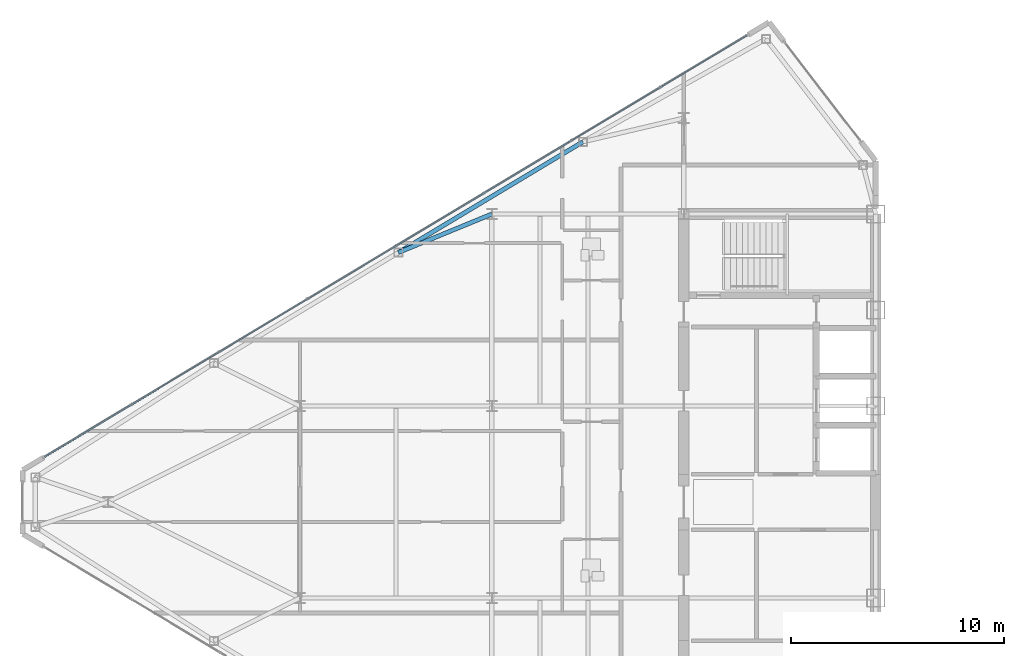
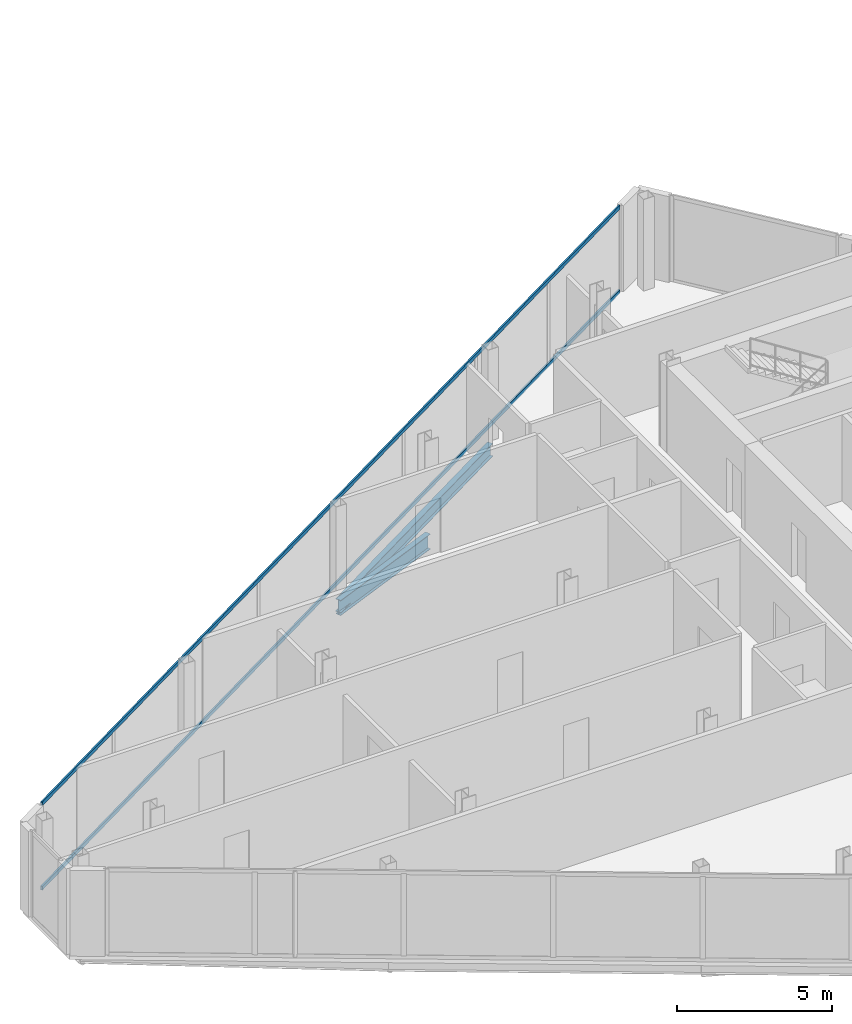
# One storey, part 9 of 25: 2 beams, 2 members, 1 element without a shape of its own.
"""IFC4 building model written with IfcOpenShell, lengths in metres."""

from ifc_helpers import new_model, si_unit, direction, frame, origin, origin_2d, place, context, subcontext, project, spatial, rectangle, i_section, extrude, source, transform, mapped, material, layer, layer_set, material_profile, profile_set, type_object, type_shapes, element, aggregate, save


model = new_model("IFC4")

# Units and contexts
model_context = context("Model", 3, precision=1e-05, world=origin(), true_north=direction((0.0, 1.0)))
body_context = subcontext(model_context, "Body", "Model", "MODEL_VIEW")
ifc_project = project(units=[si_unit("LENGTHUNIT", "METRE"), si_unit("AREAUNIT", "SQUARE_METRE"), si_unit("VOLUMEUNIT", "CUBIC_METRE"), si_unit("PLANEANGLEUNIT", "RADIAN"), si_unit("MASSUNIT", "GRAM", prefix="KILO")], contexts=[model_context])

# Site, building, storey
site_placement = place(None, origin())
site = spatial("IfcSite", under=ifc_project, at=site_placement, CompositionType="ELEMENT")
building_placement = place(site_placement, origin())
building = spatial("IfcBuilding", under=site, at=building_placement, Name="Seokmaru Belvedere", CompositionType="ELEMENT")
storey_placement = place(building_placement, frame((0.0, 0.0, 217.5)))
storey = spatial("IfcBuildingStorey", under=building, at=storey_placement, Name="L58", CompositionType="ELEMENT", Elevation=217.5)

# Beams
ifc_material_1 = material(Name="Steel SM355 (355 MPa)", Category="steel")
ifc_material_profile_1 = material_profile(ifc_material_1, i_section(OverallWidth=0.199951171875, OverallDepth=0.5, WebThickness=0.010009765625, FlangeThickness=0.01611328125, at=origin_2d()), Name="H-500x200x10x16")
ifc_profile_set_1 = profile_set([ifc_material_profile_1], Name="Steel SM355 (355 MPa)")
beam_type_1 = type_object("IfcBeamType", Name="Perimeter Spandrel Beam H-500", PredefinedType="SPANDREL", material=ifc_profile_set_1)
shared_shape_1 = source(origin(), body_context, "Body", "SweptSolid", [
    extrude(i_section(OverallWidth=0.199951171875, OverallDepth=0.5, WebThickness=0.010009765625, FlangeThickness=0.01611328125, at=origin_2d()), origin(), (0.0, 0.0, 1.0), 10.087646484375),
])
type_shapes(beam_type_1, [shared_shape_1])
beam_1_placement = place(storey_placement, frame((-41.229736328125, 16.888916015625, -0.469970703125), z_axis=(-0.857499332045, -0.514485078056, 0.0), x_axis=(0.514485078056, -0.857499332045, 0.0)))
element("IfcBeam", 1, at=beam_1_placement, inside=storey, type_object=beam_type_1, Name="L58 W Faceted Flank Spandrel N-2", PredefinedType="SPANDREL", context=body_context, shape_type="MappedRepresentation", body=[
    mapped(shared_shape_1, transform((0.0, 0.0, 0.0), scale=1.0)),
])
ifc_material_profile_2 = material_profile(ifc_material_1, i_section(OverallWidth=0.199951171875, OverallDepth=0.60009765625, WebThickness=0.010986328125, FlangeThickness=0.01708984375, at=origin_2d()), Name="H-600x200x11x17")
ifc_profile_set_2 = profile_set([ifc_material_profile_2], Name="Steel SM355 (355 MPa)")
beam_type_2 = type_object("IfcBeamType", Name="Primary Floor Girder H-600", PredefinedType="BEAM", material=ifc_profile_set_2)
shared_shape_2 = source(origin(), body_context, "Body", "SweptSolid", [
    extrude(i_section(OverallWidth=0.199951171875, OverallDepth=0.60009765625, WebThickness=0.010986328125, FlangeThickness=0.01708984375, at=origin_2d()), origin(), (0.0, 0.0, 1.0), 4.73583984375),
])
type_shapes(beam_type_2, [shared_shape_2])
beam_2_placement = place(storey_placement, frame((-49.8798828125, 11.698974609375, -0.52001953125), z_axis=(0.924860562953, 0.380306375301, 0.0), x_axis=(-0.380306375301, 0.924860562953, 0.0)))
element("IfcBeam", 2, at=beam_2_placement, inside=storey, type_object=beam_type_2, Name="L58 W Flank Radial Floor Girder N-2", PredefinedType="BEAM", context=body_context, shape_type="MappedRepresentation", body=[
    mapped(shared_shape_2, transform((0.0, 0.0, 0.0), scale=1.0)),
])

# Curtain wall, members
ifc_material_2 = material(Name="Bronze Triple Insulating Glass", Category="glass")
ifc_layer = layer(ifc_material_2, 0.179931640625)
ifc_layer_set = layer_set([ifc_layer], Name="Bronze Triple Insulating Glass")
curtain_wall_type = type_object("IfcCurtainWallType", Name="High-Rise Wind-Corner Curtain Wall System CW-5", PredefinedType="NOTDEFINED", material=ifc_layer_set)
curtain_wall_placement = place(storey_placement, origin())
curtain_wall = element("IfcCurtainWall", 3, at=curtain_wall_placement, inside=storey, type_object=curtain_wall_type, Name="L58 Curtain Wall WF3", PredefinedType="NOTDEFINED")
ifc_material_3 = material(Name="Anodised Bronze Aluminium", Category="aluminium")
ifc_material_profile_3 = material_profile(ifc_material_3, rectangle(XDim=0.06494140625, YDim=0.14990234375, at=origin_2d()), Name="CW-T-65x150")
ifc_profile_set_3 = profile_set([ifc_material_profile_3], Name="Anodised Bronze Aluminium")
member_type = type_object("IfcMemberType", Name="Bronze Unitised Transom 65x150", PredefinedType="USERDEFINED", material=ifc_profile_set_3)
shared_shape_3 = source(origin(), body_context, "Body", "SweptSolid", [
    extrude(rectangle(XDim=0.06494140625, YDim=0.14990234375, at=origin_2d()), origin(), (0.0, 0.0, 1.0), 38.386962890625),
])
type_shapes(member_type, [shared_shape_3])
member_1_placement = place(storey_placement, frame((-33.541748046875, 21.875, 0.032470703125), z_axis=(-0.85749180336, -0.514497626011, 0.0), x_axis=(0.514497626011, -0.85749180336, 0.0)))
member_1 = element("IfcMember", 4, at=member_1_placement, type_object=member_type, Name="CW:L58:WF3 Continuous Transom 1", ObjectType="TRANSOM", PredefinedType="USERDEFINED", context=body_context, shape_type="MappedRepresentation", body=[
    mapped(shared_shape_3, transform((0.0, 0.0, 0.0), scale=1.0)),
])
member_2_placement = place(storey_placement, frame((-33.541748046875, 21.875, 3.347412109375), z_axis=(-0.85749180336, -0.514497626011, 0.0), x_axis=(0.514497626011, -0.85749180336, 0.0)))
member_2 = element("IfcMember", 5, at=member_2_placement, type_object=member_type, Name="CW:L58:WF3 Continuous Transom 2", ObjectType="TRANSOM", PredefinedType="USERDEFINED", context=body_context, shape_type="MappedRepresentation", body=[
    mapped(shared_shape_3, transform((0.0, 0.0, 0.0), scale=1.0)),
])
aggregate(curtain_wall, [member_1, member_2])

save(model, "model.ifc")
